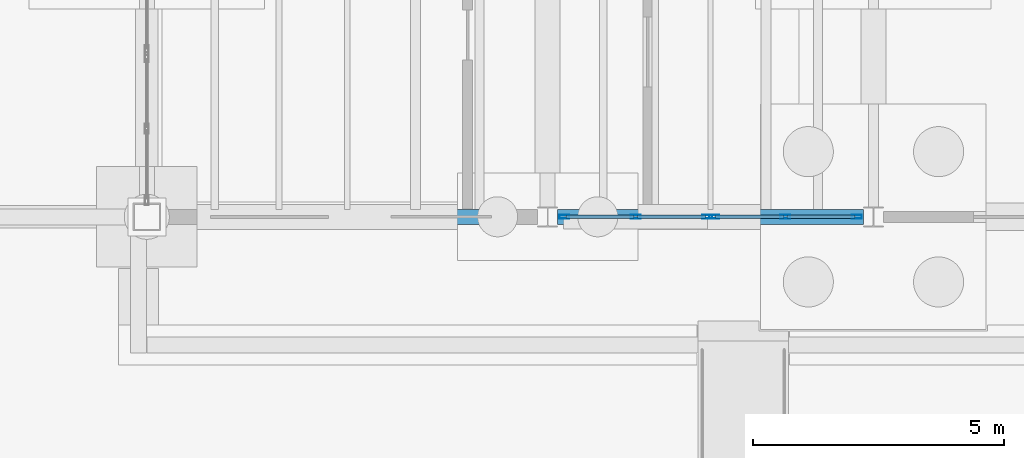
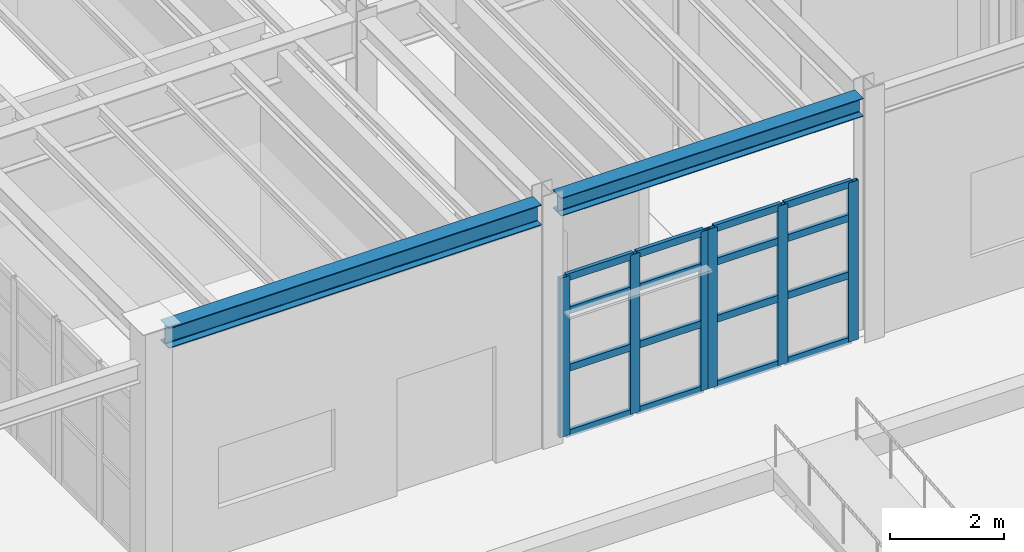
# One storey, part 37 of 86: 22 members, 2 beams, 2 elements without a shape of their own.
"""IFC4 building model written with IfcOpenShell, lengths in metres."""

from ifc_helpers import new_model, si_unit, direction, frame, origin, origin_2d, place, context, subcontext, project, spatial, hollow_rectangle, i_section, extrude, material, material_profile, profile_set, type_object, element, aggregate, save


model = new_model("IFC4")

# Units and contexts
model_context = context("Model", 3, precision=1e-05, world=origin(), true_north=direction((0.0, 1.0)))
body_context = subcontext(model_context, "Body", "Model", "MODEL_VIEW")
ifc_project = project(units=[si_unit("LENGTHUNIT", "METRE"), si_unit("AREAUNIT", "SQUARE_METRE"), si_unit("VOLUMEUNIT", "CUBIC_METRE"), si_unit("PLANEANGLEUNIT", "RADIAN"), si_unit("MASSUNIT", "GRAM", prefix="KILO"), si_unit("THERMODYNAMICTEMPERATUREUNIT", "KELVIN"), si_unit("POWERUNIT", "WATT")], contexts=[model_context])

# Site, building, storey
site_placement = place(None, origin())
site = spatial("IfcSite", under=ifc_project, at=site_placement, CompositionType="ELEMENT")
building_placement = place(site_placement, origin())
building = spatial("IfcBuilding", under=site, at=building_placement, Name="Zhenchuan Central Fire Station", CompositionType="ELEMENT")
storey_placement = place(building_placement, frame((0.0, 0.0, 0.449951171875)))
storey = spatial("IfcBuildingStorey", under=building, at=storey_placement, Name="L01", CompositionType="ELEMENT", Elevation=0.449951171875)

# Beams
ifc_material_1 = material(Name="Steel Q355B", Category="steel")
ifc_material_profile_1 = material_profile(ifc_material_1, i_section(OverallWidth=0.300048828125, OverallDepth=0.389892578125, WebThickness=0.010009765625, FlangeThickness=0.01611328125, FilletRadius=0.02001953125, at=origin_2d()), Name="HM 390x300")
ifc_profile_set_1 = profile_set([ifc_material_profile_1], Name="Steel Q355B")
beam_type_1 = type_object("IfcBeamType", Name="BM-HM390", PredefinedType="BEAM", material=ifc_profile_set_1)
beam_1_placement = place(storey_placement, frame((148.199951171875, 0.0, 5.005126953125), z_axis=(1.0, 0.0, 0.0), x_axis=(0.0, 1.0, 0.0)))
element("IfcBeam", 1, at=beam_1_placement, inside=storey, type_object=beam_type_1, Name="L02 Girder EW 0008", PredefinedType="BEAM", context=body_context, shape_type="SweptSolid", body=[
    extrude(i_section(OverallWidth=0.300048828125, OverallDepth=0.389892578125, WebThickness=0.010009765625, FlangeThickness=0.01611328125, FilletRadius=0.02001953125, at=origin_2d()), origin(), (0.0, 0.0, 1.0), 6.10009765625),
])
ifc_material_profile_2 = material_profile(ifc_material_1, i_section(OverallWidth=0.300048828125, OverallDepth=0.43994140625, WebThickness=0.010986328125, FlangeThickness=0.01806640625, FilletRadius=0.02197265625, at=origin_2d()), Name="HM 440x300")
ifc_profile_set_2 = profile_set([ifc_material_profile_2], Name="Steel Q355B")
beam_type_2 = type_object("IfcBeamType", Name="BM-HM440", PredefinedType="BEAM", material=ifc_profile_set_2)
beam_2_placement = place(storey_placement, frame((140.27490234375, 0.0, 4.97998046875), z_axis=(1.0, 0.0, 0.0), x_axis=(0.0, 1.0, 0.0)))
element("IfcBeam", 2, at=beam_2_placement, inside=storey, type_object=beam_type_2, Name="L02 Girder EW 0007", PredefinedType="BEAM", context=body_context, shape_type="SweptSolid", body=[
    extrude(i_section(OverallWidth=0.300048828125, OverallDepth=0.43994140625, WebThickness=0.010986328125, FlangeThickness=0.01806640625, FilletRadius=0.02197265625, at=origin_2d()), origin(), (0.0, 0.0, 1.0), 7.525146484375),
])

# Curtain wall, members
ifc_material_2 = material(Name="Anodised aluminium and low-E glazing", Category="aluminium")
curtain_wall_type_1 = type_object("IfcCurtainWallType", Name="CW-MOD-02", PredefinedType="USERDEFINED", material=ifc_material_2)
curtain_wall_1_placement = place(storey_placement, origin())
curtain_wall_1 = element("IfcCurtainWall", 3, at=curtain_wall_1_placement, inside=storey, type_object=curtain_wall_type_1, Name="L01 Unitised Curtain Wall 072", ObjectType="UNITISED GLAZING", PredefinedType="USERDEFINED")
ifc_material_3 = material(Name="Anodised aluminium EN AW-6063", Category="aluminium")
ifc_material_profile_3 = material_profile(ifc_material_3, hollow_rectangle(XDim=0.074951171875, YDim=0.199951171875, WallThickness=0.0048828125, at=origin_2d()), Name="ALU-M 200x75")
ifc_profile_set_3 = profile_set([ifc_material_profile_3], Name="Anodised aluminium EN AW-6063")
member_type_1 = type_object("IfcMemberType", Name="CW-MUL160", PredefinedType="MULLION", material=ifc_profile_set_3)
member_1_placement = place(storey_placement, frame((148.33251953125, 0.0, -0.00390625), z_axis=(0.0, 0.0, 1.0), x_axis=(0.0, 1.0, 0.0)))
member_1 = element("IfcMember", 4, at=member_1_placement, type_object=member_type_1, Name="CW-02 mullion 1", PredefinedType="MULLION", context=body_context, shape_type="SweptSolid", body=[
    extrude(hollow_rectangle(XDim=0.074951171875, YDim=0.199951171875, WallThickness=0.0048828125, at=origin_2d()), origin(), (0.0, 0.0, 1.0), 3.404052734375),
])
member_2_placement = place(storey_placement, frame((149.756103515625, 0.0, -0.00390625), z_axis=(0.0, 0.0, 1.0), x_axis=(0.0, 1.0, 0.0)))
member_2 = element("IfcMember", 5, at=member_2_placement, type_object=member_type_1, Name="CW-02 mullion 2", PredefinedType="MULLION", context=body_context, shape_type="SweptSolid", body=[
    extrude(hollow_rectangle(XDim=0.074951171875, YDim=0.199951171875, WallThickness=0.0048828125, at=origin_2d()), origin(), (0.0, 0.0, 1.0), 3.404052734375),
])
member_3_placement = place(storey_placement, frame((151.179443359375, 0.0, -0.00390625), z_axis=(0.0, 0.0, 1.0), x_axis=(0.0, 1.0, 0.0)))
member_3 = element("IfcMember", 6, at=member_3_placement, type_object=member_type_1, Name="CW-02 mullion 3", PredefinedType="MULLION", context=body_context, shape_type="SweptSolid", body=[
    extrude(hollow_rectangle(XDim=0.074951171875, YDim=0.199951171875, WallThickness=0.0048828125, at=origin_2d()), origin(), (0.0, 0.0, 1.0), 3.404052734375),
])

curtain_wall_type_2 = type_object("IfcCurtainWallType", Name="CW-MOD-03", PredefinedType="USERDEFINED", material=ifc_material_2)
curtain_wall_2_placement = place(storey_placement, origin())
curtain_wall_2 = element("IfcCurtainWall", 7, at=curtain_wall_2_placement, inside=storey, type_object=curtain_wall_type_2, Name="L01 Unitised Curtain Wall 073", ObjectType="UNITISED GLAZING", PredefinedType="USERDEFINED")
member_4_placement = place(storey_placement, frame((151.320556640625, 0.0, -0.00390625), z_axis=(0.0, 0.0, 1.0), x_axis=(0.0, 1.0, 0.0)))
member_4 = element("IfcMember", 8, at=member_4_placement, type_object=member_type_1, Name="CW-03 mullion 1", PredefinedType="MULLION", context=body_context, shape_type="SweptSolid", body=[
    extrude(hollow_rectangle(XDim=0.074951171875, YDim=0.199951171875, WallThickness=0.0048828125, at=origin_2d()), origin(), (0.0, 0.0, 1.0), 3.404052734375),
])
member_5_placement = place(storey_placement, frame((152.743896484375, 0.0, -0.00390625), z_axis=(0.0, 0.0, 1.0), x_axis=(0.0, 1.0, 0.0)))
member_5 = element("IfcMember", 9, at=member_5_placement, type_object=member_type_1, Name="CW-03 mullion 2", PredefinedType="MULLION", context=body_context, shape_type="SweptSolid", body=[
    extrude(hollow_rectangle(XDim=0.074951171875, YDim=0.199951171875, WallThickness=0.0048828125, at=origin_2d()), origin(), (0.0, 0.0, 1.0), 3.404052734375),
])
member_6_placement = place(storey_placement, frame((154.16748046875, 0.0, -0.00390625), z_axis=(0.0, 0.0, 1.0), x_axis=(0.0, 1.0, 0.0)))
member_6 = element("IfcMember", 10, at=member_6_placement, type_object=member_type_1, Name="CW-03 mullion 3", PredefinedType="MULLION", context=body_context, shape_type="SweptSolid", body=[
    extrude(hollow_rectangle(XDim=0.074951171875, YDim=0.199951171875, WallThickness=0.0048828125, at=origin_2d()), origin(), (0.0, 0.0, 1.0), 3.404052734375),
])

# Member
ifc_material_profile_4 = material_profile(ifc_material_3, hollow_rectangle(XDim=0.074951171875, YDim=0.14990234375, WallThickness=0.0048828125, at=origin_2d()), Name="ALU-T 150x75")
ifc_profile_set_4 = profile_set([ifc_material_profile_4], Name="Anodised aluminium EN AW-6063")
member_type_2 = type_object("IfcMemberType", Name="CW-TRN130", PredefinedType="NOTDEFINED", material=ifc_profile_set_4)
member_7_placement = place(storey_placement, frame((148.364990234375, 0.0, 0.028564453125), z_axis=(1.0, 0.0, 0.0), x_axis=(0.0, 1.0, 0.0)))
member_7 = element("IfcMember", 11, at=member_7_placement, type_object=member_type_2, Name="CW-02 transom 1.1", ObjectType="TRANSOM", PredefinedType="USERDEFINED", context=body_context, shape_type="SweptSolid", body=[
    extrude(hollow_rectangle(XDim=0.074951171875, YDim=0.14990234375, WallThickness=0.0048828125, at=origin_2d()), origin(), (0.0, 0.0, 1.0), 1.3583984375),
])

member_8_placement = place(storey_placement, frame((148.364990234375, 0.0, 1.427978515625), z_axis=(1.0, 0.0, 0.0), x_axis=(0.0, 1.0, 0.0)))
member_8 = element("IfcMember", 12, at=member_8_placement, type_object=member_type_2, Name="CW-02 transom 1.2", ObjectType="TRANSOM", PredefinedType="USERDEFINED", context=body_context, shape_type="SweptSolid", body=[
    extrude(hollow_rectangle(XDim=0.074951171875, YDim=0.14990234375, WallThickness=0.0048828125, at=origin_2d()), origin(), (0.0, 0.0, 1.0), 1.3583984375),
])

member_9_placement = place(storey_placement, frame((148.364990234375, 0.0, 2.652099609375), z_axis=(1.0, 0.0, 0.0), x_axis=(0.0, 1.0, 0.0)))
member_9 = element("IfcMember", 13, at=member_9_placement, type_object=member_type_2, Name="CW-02 transom 1.3", ObjectType="TRANSOM", PredefinedType="USERDEFINED", context=body_context, shape_type="SweptSolid", body=[
    extrude(hollow_rectangle(XDim=0.074951171875, YDim=0.14990234375, WallThickness=0.0048828125, at=origin_2d()), origin(), (0.0, 0.0, 1.0), 1.3583984375),
])

member_10_placement = place(storey_placement, frame((148.364990234375, 0.0, 3.367431640625), z_axis=(1.0, 0.0, 0.0), x_axis=(0.0, 1.0, 0.0)))
member_10 = element("IfcMember", 14, at=member_10_placement, type_object=member_type_2, Name="CW-02 transom 1.4", ObjectType="TRANSOM", PredefinedType="USERDEFINED", context=body_context, shape_type="SweptSolid", body=[
    extrude(hollow_rectangle(XDim=0.074951171875, YDim=0.14990234375, WallThickness=0.0048828125, at=origin_2d()), origin(), (0.0, 0.0, 1.0), 1.3583984375),
])

member_11_placement = place(storey_placement, frame((149.78857421875, 0.0, 0.028564453125), z_axis=(1.0, 0.0, 0.0), x_axis=(0.0, 1.0, 0.0)))
member_11 = element("IfcMember", 15, at=member_11_placement, type_object=member_type_2, Name="CW-02 transom 2.1", ObjectType="TRANSOM", PredefinedType="USERDEFINED", context=body_context, shape_type="SweptSolid", body=[
    extrude(hollow_rectangle(XDim=0.074951171875, YDim=0.14990234375, WallThickness=0.0048828125, at=origin_2d()), origin(), (0.0, 0.0, 1.0), 1.3583984375),
])

member_12_placement = place(storey_placement, frame((149.78857421875, 0.0, 1.427978515625), z_axis=(1.0, 0.0, 0.0), x_axis=(0.0, 1.0, 0.0)))
member_12 = element("IfcMember", 16, at=member_12_placement, type_object=member_type_2, Name="CW-02 transom 2.2", ObjectType="TRANSOM", PredefinedType="USERDEFINED", context=body_context, shape_type="SweptSolid", body=[
    extrude(hollow_rectangle(XDim=0.074951171875, YDim=0.14990234375, WallThickness=0.0048828125, at=origin_2d()), origin(), (0.0, 0.0, 1.0), 1.3583984375),
])

member_13_placement = place(storey_placement, frame((149.78857421875, 0.0, 2.652099609375), z_axis=(1.0, 0.0, 0.0), x_axis=(0.0, 1.0, 0.0)))
member_13 = element("IfcMember", 17, at=member_13_placement, type_object=member_type_2, Name="CW-02 transom 2.3", ObjectType="TRANSOM", PredefinedType="USERDEFINED", context=body_context, shape_type="SweptSolid", body=[
    extrude(hollow_rectangle(XDim=0.074951171875, YDim=0.14990234375, WallThickness=0.0048828125, at=origin_2d()), origin(), (0.0, 0.0, 1.0), 1.3583984375),
])

member_14_placement = place(storey_placement, frame((149.78857421875, 0.0, 3.367431640625), z_axis=(1.0, 0.0, 0.0), x_axis=(0.0, 1.0, 0.0)))
member_14 = element("IfcMember", 18, at=member_14_placement, type_object=member_type_2, Name="CW-02 transom 2.4", ObjectType="TRANSOM", PredefinedType="USERDEFINED", context=body_context, shape_type="SweptSolid", body=[
    extrude(hollow_rectangle(XDim=0.074951171875, YDim=0.14990234375, WallThickness=0.0048828125, at=origin_2d()), origin(), (0.0, 0.0, 1.0), 1.3583984375),
])

aggregate(curtain_wall_1, [member_1, member_2, member_3, member_7, member_8, member_9, member_10, member_11, member_12, member_13, member_14])

member_15_placement = place(storey_placement, frame((151.35302734375, 0.0, 0.028564453125), z_axis=(1.0, 0.0, 0.0), x_axis=(0.0, 1.0, 0.0)))
member_15 = element("IfcMember", 19, at=member_15_placement, type_object=member_type_2, Name="CW-03 transom 1.1", ObjectType="TRANSOM", PredefinedType="USERDEFINED", context=body_context, shape_type="SweptSolid", body=[
    extrude(hollow_rectangle(XDim=0.074951171875, YDim=0.14990234375, WallThickness=0.0048828125, at=origin_2d()), origin(), (0.0, 0.0, 1.0), 1.3583984375),
])

member_16_placement = place(storey_placement, frame((151.35302734375, 0.0, 1.427978515625), z_axis=(1.0, 0.0, 0.0), x_axis=(0.0, 1.0, 0.0)))
member_16 = element("IfcMember", 20, at=member_16_placement, type_object=member_type_2, Name="CW-03 transom 1.2", ObjectType="TRANSOM", PredefinedType="USERDEFINED", context=body_context, shape_type="SweptSolid", body=[
    extrude(hollow_rectangle(XDim=0.074951171875, YDim=0.14990234375, WallThickness=0.0048828125, at=origin_2d()), origin(), (0.0, 0.0, 1.0), 1.3583984375),
])

member_17_placement = place(storey_placement, frame((151.35302734375, 0.0, 2.652099609375), z_axis=(1.0, 0.0, 0.0), x_axis=(0.0, 1.0, 0.0)))
member_17 = element("IfcMember", 21, at=member_17_placement, type_object=member_type_2, Name="CW-03 transom 1.3", ObjectType="TRANSOM", PredefinedType="USERDEFINED", context=body_context, shape_type="SweptSolid", body=[
    extrude(hollow_rectangle(XDim=0.074951171875, YDim=0.14990234375, WallThickness=0.0048828125, at=origin_2d()), origin(), (0.0, 0.0, 1.0), 1.3583984375),
])

member_18_placement = place(storey_placement, frame((151.35302734375, 0.0, 3.367431640625), z_axis=(1.0, 0.0, 0.0), x_axis=(0.0, 1.0, 0.0)))
member_18 = element("IfcMember", 22, at=member_18_placement, type_object=member_type_2, Name="CW-03 transom 1.4", ObjectType="TRANSOM", PredefinedType="USERDEFINED", context=body_context, shape_type="SweptSolid", body=[
    extrude(hollow_rectangle(XDim=0.074951171875, YDim=0.14990234375, WallThickness=0.0048828125, at=origin_2d()), origin(), (0.0, 0.0, 1.0), 1.3583984375),
])

member_19_placement = place(storey_placement, frame((152.776611328125, 0.0, 0.028564453125), z_axis=(1.0, 0.0, 0.0), x_axis=(0.0, 1.0, 0.0)))
member_19 = element("IfcMember", 23, at=member_19_placement, type_object=member_type_2, Name="CW-03 transom 2.1", ObjectType="TRANSOM", PredefinedType="USERDEFINED", context=body_context, shape_type="SweptSolid", body=[
    extrude(hollow_rectangle(XDim=0.074951171875, YDim=0.14990234375, WallThickness=0.0048828125, at=origin_2d()), origin(), (0.0, 0.0, 1.0), 1.3583984375),
])

member_20_placement = place(storey_placement, frame((152.776611328125, 0.0, 1.427978515625), z_axis=(1.0, 0.0, 0.0), x_axis=(0.0, 1.0, 0.0)))
member_20 = element("IfcMember", 24, at=member_20_placement, type_object=member_type_2, Name="CW-03 transom 2.2", ObjectType="TRANSOM", PredefinedType="USERDEFINED", context=body_context, shape_type="SweptSolid", body=[
    extrude(hollow_rectangle(XDim=0.074951171875, YDim=0.14990234375, WallThickness=0.0048828125, at=origin_2d()), origin(), (0.0, 0.0, 1.0), 1.3583984375),
])

member_21_placement = place(storey_placement, frame((152.776611328125, 0.0, 2.652099609375), z_axis=(1.0, 0.0, 0.0), x_axis=(0.0, 1.0, 0.0)))
member_21 = element("IfcMember", 25, at=member_21_placement, type_object=member_type_2, Name="CW-03 transom 2.3", ObjectType="TRANSOM", PredefinedType="USERDEFINED", context=body_context, shape_type="SweptSolid", body=[
    extrude(hollow_rectangle(XDim=0.074951171875, YDim=0.14990234375, WallThickness=0.0048828125, at=origin_2d()), origin(), (0.0, 0.0, 1.0), 1.3583984375),
])

member_22_placement = place(storey_placement, frame((152.776611328125, 0.0, 3.367431640625), z_axis=(1.0, 0.0, 0.0), x_axis=(0.0, 1.0, 0.0)))
member_22 = element("IfcMember", 26, at=member_22_placement, type_object=member_type_2, Name="CW-03 transom 2.4", ObjectType="TRANSOM", PredefinedType="USERDEFINED", context=body_context, shape_type="SweptSolid", body=[
    extrude(hollow_rectangle(XDim=0.074951171875, YDim=0.14990234375, WallThickness=0.0048828125, at=origin_2d()), origin(), (0.0, 0.0, 1.0), 1.3583984375),
])

aggregate(curtain_wall_2, [member_4, member_5, member_6, member_15, member_16, member_17, member_18, member_19, member_20, member_21, member_22])

save(model, "model.ifc")
